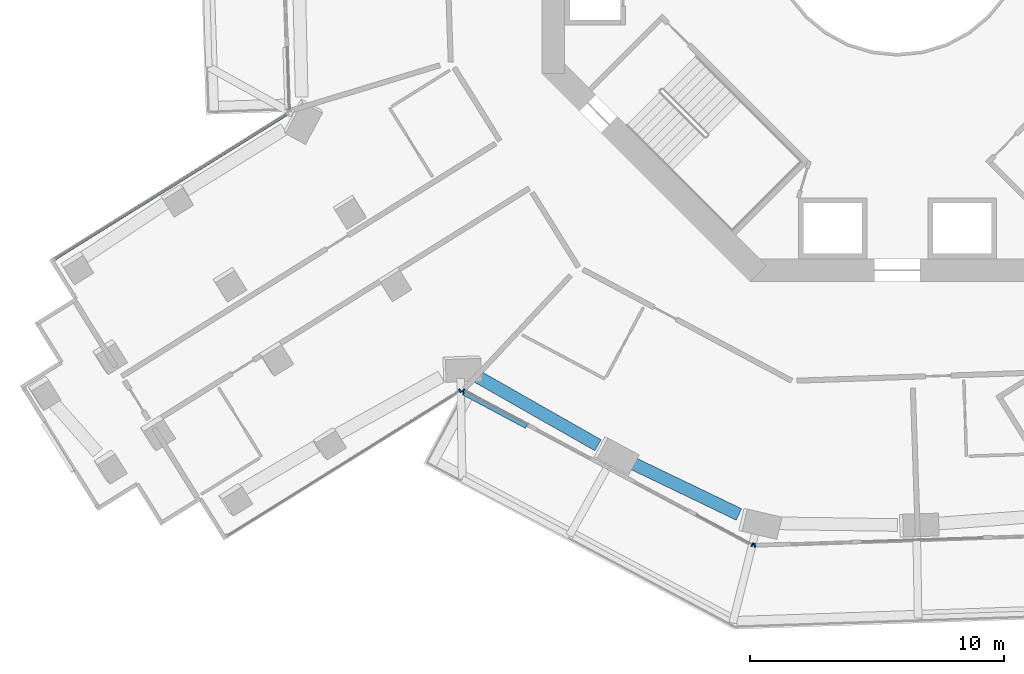
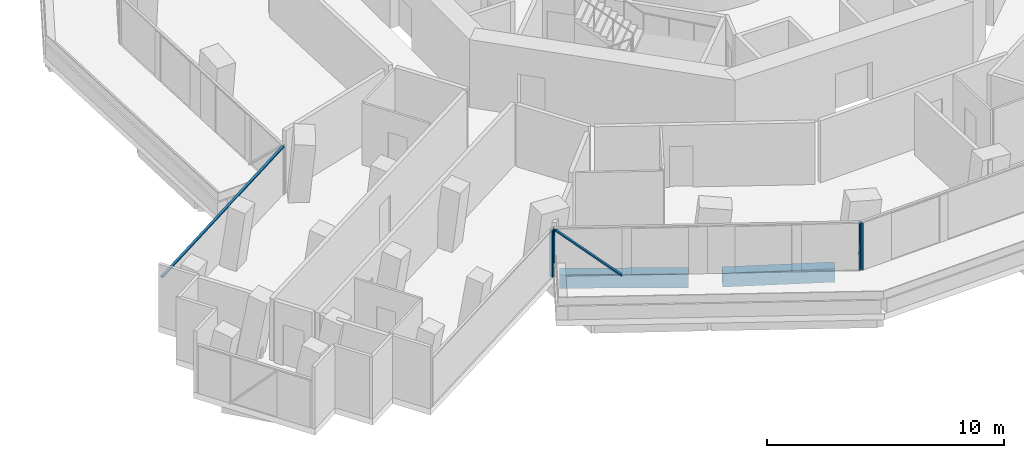
# One storey, part 3 of 27: 6 members, 2 beams, 4 elements without a shape of their own.
"""IFC4 building model written with IfcOpenShell, lengths in metres."""

from ifc_helpers import new_model, si_unit, direction, frame, origin, origin_2d, place, context, subcontext, project, spatial, rectangle, extrude, material, layer, layer_set, material_profile, profile_set, type_object, element, aggregate, save


model = new_model("IFC4")

# Units and contexts
model_context = context("Model", 3, precision=1e-05, world=origin(), true_north=direction((0.0, 1.0)))
body_context = subcontext(model_context, "Body", "Model", "MODEL_VIEW")
ifc_project = project(units=[si_unit("LENGTHUNIT", "METRE"), si_unit("AREAUNIT", "SQUARE_METRE"), si_unit("VOLUMEUNIT", "CUBIC_METRE"), si_unit("PLANEANGLEUNIT", "RADIAN"), si_unit("MASSUNIT", "GRAM", prefix="KILO")], contexts=[model_context])

# Site, building, storey
site_placement = place(None, origin())
site = spatial("IfcSite", under=ifc_project, at=site_placement, CompositionType="ELEMENT")
building_placement = place(site_placement, origin())
building = spatial("IfcBuilding", under=site, at=building_placement, Name="Verdalira Terraces Hotel", CompositionType="ELEMENT")
storey_placement = place(building_placement, frame((0.0, 0.0, 42.5)))
storey = spatial("IfcBuildingStorey", under=building, at=storey_placement, Name="L08", CompositionType="ELEMENT", Elevation=42.5)

# Curtain wall, members
ifc_material_1 = material(Name="Clear glass", Category="glass")
ifc_layer_1 = layer(ifc_material_1, 0.14990234375)
ifc_layer_set_1 = layer_set([ifc_layer_1], Name="CW1 curtain wall")
curtain_wall_type_1 = type_object("IfcCurtainWallType", Name="CW1 curtain wall", PredefinedType="NOTDEFINED", material=ifc_layer_set_1)
curtain_wall_1_placement = place(storey_placement, origin())
curtain_wall_1 = element("IfcCurtainWall", 1, at=curtain_wall_1_placement, inside=storey, type_object=curtain_wall_type_1, Name="CW1 curtain wall L08 edge 25", PredefinedType="NOTDEFINED")
ifc_material_2 = material(Name="Terracotta frame", Category="masonry")
ifc_material_profile_1 = material_profile(ifc_material_2, rectangle(XDim=0.060059, YDim=0.149902, at=origin_2d()), Name="MU 60x150")
ifc_profile_set_1 = profile_set([ifc_material_profile_1], Name="Terracotta frame")
member_type_1 = type_object("IfcMemberType", Name="CW1 mullion 60x150", PredefinedType="MULLION", material=ifc_profile_set_1)
member_1_placement = place(storey_placement, frame((-17.091553, -18.29126, 0.0), z_axis=(0.0, 0.0, 1.0), x_axis=(0.882291226, -0.470703932, 0.0)))
member_1 = element("IfcMember", 2, at=member_1_placement, type_object=member_type_1, Name="CW1 mullion", PredefinedType="MULLION", context=body_context, shape_type="SweptSolid", body=[
    extrude(rectangle(XDim=0.060059, YDim=0.149902, at=origin_2d()), origin(), (0.0, 0.0, 1.0), 2.425049),
])
member_2_placement = place(storey_placement, frame((-5.710205, -24.363281, 0.0), z_axis=(0.0, 0.0, 1.0), x_axis=(0.882291226, -0.470703932, 0.0)))
member_2 = element("IfcMember", 3, at=member_2_placement, type_object=member_type_1, Name="CW1 mullion", PredefinedType="MULLION", context=body_context, shape_type="SweptSolid", body=[
    extrude(rectangle(XDim=0.060059, YDim=0.149902, at=origin_2d()), origin(), (0.0, 0.0, 1.0), 2.425049),
])

# Curtain wall, member
curtain_wall_2_placement = place(storey_placement, origin())
curtain_wall_2 = element("IfcCurtainWall", 4, at=curtain_wall_2_placement, inside=storey, type_object=curtain_wall_type_1, Name="CW1 curtain wall L08 edge 26", PredefinedType="NOTDEFINED")
member_3_placement = place(storey_placement, frame((-5.615967, -24.385254, 0.0), z_axis=(0.0, 0.0, 1.0), x_axis=(0.999438582, 0.03350405, 0.0)))
member_3 = element("IfcMember", 5, at=member_3_placement, type_object=member_type_1, Name="CW1 mullion", PredefinedType="MULLION", context=body_context, shape_type="SweptSolid", body=[
    extrude(rectangle(XDim=0.060059, YDim=0.149902, at=origin_2d()), origin(), (0.0, 0.0, 1.0), 2.425049),
])
aggregate(curtain_wall_2, [member_3])

ifc_material_3 = material(Name="Clear glass", Category="glass")
ifc_layer_2 = layer(ifc_material_3, 0.14990234375)
ifc_layer_set_2 = layer_set([ifc_layer_2], Name="CW2 curtain wall")
curtain_wall_type_2 = type_object("IfcCurtainWallType", Name="CW2 curtain wall", PredefinedType="NOTDEFINED", material=ifc_layer_set_2)
curtain_wall_3_placement = place(storey_placement, origin())
curtain_wall_3 = element("IfcCurtainWall", 6, at=curtain_wall_3_placement, inside=storey, type_object=curtain_wall_type_2, Name="CW2 curtain wall L08 edge 24", PredefinedType="NOTDEFINED")
ifc_material_4 = material(Name="Terracotta frame", Category="masonry")
ifc_material_profile_2 = material_profile(ifc_material_4, rectangle(XDim=0.070068, YDim=0.149902, at=origin_2d()), Name="MU 70x150")
ifc_profile_set_2 = profile_set([ifc_material_profile_2], Name="Terracotta frame")
member_type_2 = type_object("IfcMemberType", Name="CW2 mullion 70x150", PredefinedType="MULLION", material=ifc_profile_set_2)
member_4_placement = place(storey_placement, frame((-17.222656, -18.298096, 0.0), z_axis=(0.0, 0.0, 1.0), x_axis=(0.848787176, 0.52873465, 0.0)))
member_4 = element("IfcMember", 7, at=member_4_placement, type_object=member_type_2, Name="CW2 mullion", PredefinedType="MULLION", context=body_context, shape_type="SweptSolid", body=[
    extrude(rectangle(XDim=0.070068, YDim=0.149902, at=origin_2d()), origin(), (0.0, 0.0, 1.0), 2.425049),
])
aggregate(curtain_wall_3, [member_4])

curtain_wall_4_placement = place(storey_placement, origin())
curtain_wall_4 = element("IfcCurtainWall", 8, at=curtain_wall_4_placement, inside=storey, type_object=curtain_wall_type_2, Name="CW2 curtain wall L08 edge 14", PredefinedType="NOTDEFINED")
ifc_material_5 = material(Name="Terracotta frame", Category="masonry")
ifc_material_profile_3 = material_profile(ifc_material_5, rectangle(XDim=0.11499, YDim=0.064941, at=origin_2d()), Name="TR 65x115")
ifc_profile_set_3 = profile_set([ifc_material_profile_3], Name="Terracotta frame")
member_type_3 = type_object("IfcMemberType", Name="CW2 transom 65x115", PredefinedType="USERDEFINED", material=ifc_profile_set_3)
member_5_placement = place(storey_placement, frame((-23.987305, -7.372803, 2.45752), z_axis=(-0.84878684, -0.528735189, 0.0), x_axis=(0.528735189, -0.84878684, 0.0)))
member_5 = element("IfcMember", 9, at=member_5_placement, type_object=member_type_3, Name="CW2 transom", ObjectType="TRANSOM", PredefinedType="USERDEFINED", context=body_context, shape_type="SweptSolid", body=[
    extrude(rectangle(XDim=0.11499, YDim=0.064941, at=origin_2d()), origin(), (0.0, 0.0, 1.0), 10.893066),
])
aggregate(curtain_wall_4, [member_5])

# Member
ifc_material_6 = material(Name="Terracotta frame", Category="masonry")
ifc_material_profile_4 = material_profile(ifc_material_6, rectangle(XDim=0.149902, YDim=0.060059, at=origin_2d()), Name="GB 60x150")
ifc_profile_set_4 = profile_set([ifc_material_profile_4], Name="Terracotta frame")
member_type_4 = type_object("IfcMemberType", Name="Diagonal glazing bar 60x150", PredefinedType="USERDEFINED", material=ifc_profile_set_4)
member_6_placement = place(storey_placement, frame((-17.082031, -18.397217, 2.400879), z_axis=(0.670960335, -0.357992258, -0.649348729), x_axis=(0.470738458, 0.882272806, 0.0)))
member_6 = element("IfcMember", 10, at=member_6_placement, type_object=member_type_4, Name="Diagonal glazing bar", ObjectType="GLAZING BAR", PredefinedType="USERDEFINED", context=body_context, shape_type="SweptSolid", body=[
    extrude(rectangle(XDim=0.149902, YDim=0.060059, at=origin_2d()), origin(), (0.0, 0.0, 1.0), 3.660156),
])

aggregate(curtain_wall_1, [member_1, member_2, member_6])

# Beams
ifc_material_7 = material(Name="Concrete C70", Category="concrete")
ifc_material_profile_5 = material_profile(ifc_material_7, rectangle(XDim=0.5, YDim=0.699951, at=origin_2d()), Name="RC 500X700")
ifc_profile_set_5 = profile_set([ifc_material_profile_5], Name="Concrete C70")
beam_type = type_object("IfcBeamType", Name="Spandrel beam RC 500X700 C70", PredefinedType="SPANDREL", material=ifc_profile_set_5)
beam_1_placement = place(storey_placement, frame((-16.51709, -17.753662, -0.659912), z_axis=(0.86899347, -0.494823554, 0.0), x_axis=(0.494823554, 0.86899347, 0.0)))
element("IfcBeam", 11, at=beam_1_placement, inside=storey, type_object=beam_type, Name="Spandrel beam B19", PredefinedType="SPANDREL", context=body_context, shape_type="SweptSolid", body=[
    extrude(rectangle(XDim=0.5, YDim=0.699951, at=origin_2d()), origin(), (0.0, 0.0, 1.0), 5.439209),
])
beam_2_placement = place(storey_placement, frame((-10.524658, -21.108154, -0.659912), z_axis=(0.901101237, -0.433608765, 0.0), x_axis=(0.433608765, 0.901101237, 0.0)))
element("IfcBeam", 12, at=beam_2_placement, inside=storey, type_object=beam_type, Name="Spandrel beam B20", PredefinedType="SPANDREL", context=body_context, shape_type="SweptSolid", body=[
    extrude(rectangle(XDim=0.5, YDim=0.699951, at=origin_2d()), origin(), (0.0, 0.0, 1.0), 4.755371),
])

save(model, "model.ifc")
